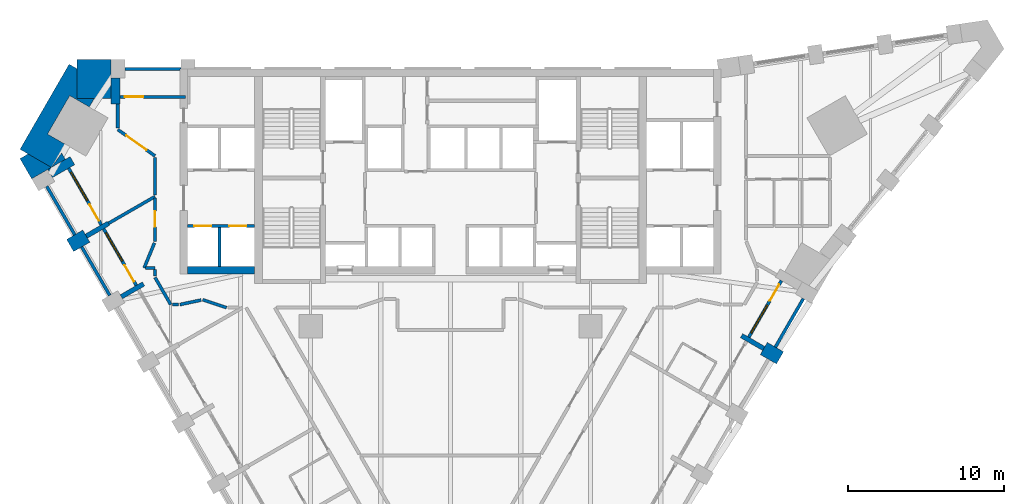
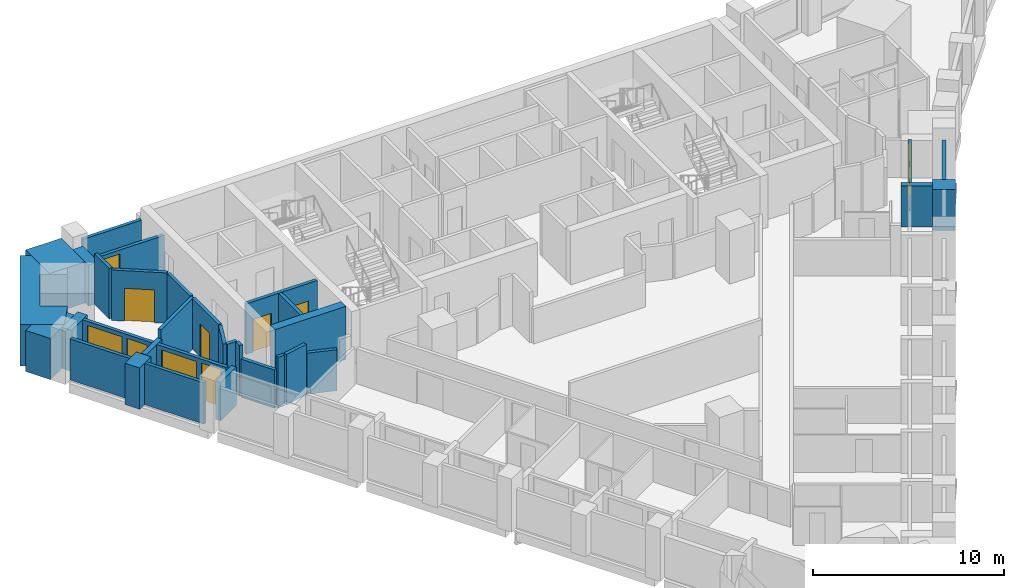
# One storey, part 6 of 11: 34 walls, 8 doors, 3 windows, 11 openings.
"""IFC4 building model written with IfcOpenShell, lengths in metres."""

from ifc_helpers import new_model, si_unit, direction, frame, frame_2d, origin, place, context, subcontext, project, spatial, polyline, rectangle, outline, extrude, material, layer, layer_set, type_object, element, fill, save


model = new_model("IFC4")

# Units and contexts
model_context = context("Model", 3, precision=1e-05, world=origin(), true_north=direction((0.0, 1.0)))
body_context = subcontext(model_context, "Body", "Model", "MODEL_VIEW")
ifc_project = project(units=[si_unit("LENGTHUNIT", "METRE"), si_unit("AREAUNIT", "SQUARE_METRE"), si_unit("VOLUMEUNIT", "CUBIC_METRE"), si_unit("PLANEANGLEUNIT", "RADIAN"), si_unit("MASSUNIT", "GRAM", prefix="KILO")], contexts=[model_context])

# Site, building, storey
site_placement = place(None, origin())
site = spatial("IfcSite", under=ifc_project, at=site_placement, CompositionType="ELEMENT")
building_placement = place(site_placement, origin())
building = spatial("IfcBuilding", under=site, at=building_placement, Name="Calabash Gate Tower", CompositionType="ELEMENT")
storey_placement = place(building_placement, frame((0.0, 0.0, 125.800048828125)))
storey = spatial("IfcBuildingStorey", under=building, at=storey_placement, Name="L29", CompositionType="ELEMENT", Elevation=125.800048828125)

# Walls
ifc_material_1 = material(Name="Terracotta brick masonry, exposed face", Category="masonry")
ifc_layer_1 = layer(ifc_material_1, 2.5)
ifc_layer_set_1 = layer_set([ifc_layer_1], Name="Brick corner mass wall 2500")
wall_type_1 = type_object("IfcWallType", Name="Brick corner mass wall 2500", PredefinedType="SOLIDWALL", material=ifc_layer_set_1)
wall_1_placement = place(storey_placement, origin())
element("IfcWall", 1, at=wall_1_placement, inside=storey, type_object=wall_type_1, Name="Brick corner pier S08 3a", PredefinedType="SOLIDWALL", context=body_context, shape_type="SweptSolid", body=[
    extrude(outline(polyline([(-24.00390625, 17.152587890625), (-21.846923828125, 17.152587890625), (-21.846923828125, 18.452880859375), (-21.846923828125, 18.452880859375), (-21.846923828125, 19.652587890625), (-24.00390625, 19.652587890625), (-24.00390625, 17.152587890625)])), origin(), (0.0, 0.0, 1.0), 2.6298828125),
])
wall_2_placement = place(storey_placement, origin())
element("IfcWall", 2, at=wall_2_placement, inside=storey, type_object=wall_type_1, Name="Brick corner pier S08 3b", PredefinedType="SOLIDWALL", context=body_context, shape_type="SweptSolid", body=[
    extrude(outline(polyline([(-23.22509765625, 16.601318359375), (-22.906982421875, 17.152587890625), (-24.00390625, 17.152587890625), (-24.00390625, 19.052490234375), (-24.5234375, 19.3525390625), (-27.68212890625, 13.8818359375), (-25.6640625, 12.716796875), (-24.650146484375, 14.13330078125), (-25.90966796875, 14.8603515625), (-24.484619140625, 17.32861328125), (-23.22509765625, 16.601318359375)])), origin(), (0.0, 0.0, 1.0), 2.6298828125),
])
wall_3_placement = place(storey_placement, origin())
element("IfcWall", 3, at=wall_3_placement, inside=storey, type_object=wall_type_1, Name="Brick corner pier S08 3ca", PredefinedType="SOLIDWALL", context=body_context, shape_type="SweptSolid", body=[
    extrude(outline(polyline([(-27.162353515625, 13.581787109375), (-27.68212890625, 13.28173828125), (-26.932861328125, 11.984130859375), (-25.6640625, 12.716796875), (-27.162353515625, 13.581787109375)])), origin(), (0.0, 0.0, 1.0), 2.6298828125),
])
wall_4_placement = place(storey_placement, origin())
element("IfcWall", 4, at=wall_4_placement, inside=storey, type_object=wall_type_1, Name="Brick corner pier S08 3cb", PredefinedType="SOLIDWALL", context=body_context, shape_type="SweptSolid", body=[
    extrude(outline(polyline([(-24.767822265625, 13.234130859375), (-25.00244140625, 13.640869140625), (-25.6640625, 12.716796875), (-24.767822265625, 13.234130859375)])), origin(), (0.0, 0.0, 1.0), 2.6298828125),
])
ifc_material_2 = material(Name="Terracotta brick masonry, exposed face", Category="masonry")
ifc_layer_2 = layer(ifc_material_2, 1.199951171875)
ifc_layer_set_2 = layer_set([ifc_layer_2], Name="Brick end wall 1200")
wall_type_2 = type_object("IfcWallType", Name="Brick end wall 1200", PredefinedType="SOLIDWALL", material=ifc_layer_set_2)
wall_5_placement = place(storey_placement, frame((-24.457763671875, 7.697265625, 0.0), z_axis=(0.0, 0.0, 1.0), x_axis=(0.865955154139, 0.50012165622, 0.0)))
element("IfcWall", 5, at=wall_5_placement, inside=storey, type_object=wall_type_2, Name="Brick pier S08 SW0.1", PredefinedType="SOLIDWALL", context=body_context, shape_type="SweptSolid", body=[
    extrude(rectangle(XDim=1.199951171875, YDim=0.89990234375, at=frame_2d((0.60009765625, 0.0))), origin(), (0.0, 0.0, 1.0), 2.6298828125),
])
wall_6_placement = place(storey_placement, frame((21.17626953125, 0.473388671875, 0.0), z_axis=(0.0, 0.0, 1.0), x_axis=(-0.866006032174, 0.500033551112, 0.0)))
element("IfcWall", 6, at=wall_6_placement, inside=storey, type_object=wall_type_2, Name="Brick pier S08 SE2.7", PredefinedType="SOLIDWALL", context=body_context, shape_type="SweptSolid", body=[
    extrude(rectangle(XDim=1.2001953125, YDim=0.89990234375, at=frame_2d((0.60009765625, 0.0))), origin(), (0.0, 0.0, 1.0), 2.6298828125),
])
ifc_material_3 = material(Name="Terracotta brick masonry, exposed face", Category="masonry")
ifc_layer_3 = layer(ifc_material_3, 0.300048828125)
ifc_layer_set_3 = layer_set([ifc_layer_3], Name="Brick loggia cheek wall 300")
wall_type_3 = type_object("IfcWallType", Name="Brick loggia cheek wall 300", PredefinedType="SOLIDWALL", material=ifc_layer_set_3)
wall_7_placement = place(storey_placement, frame((-25.74365234375, 12.32421875, 0.0), z_axis=(0.0, 0.0, 1.0), x_axis=(0.865976140824, 0.500085316245, 0.0)))
element("IfcWall", 7, at=wall_7_placement, inside=storey, type_object=wall_type_3, Name="Loggia cheek S08 SW0.0", PredefinedType="SOLIDWALL", context=body_context, shape_type="SweptSolid", body=[
    extrude(rectangle(XDim=1.650146484375, YDim=0.60009765625, at=frame_2d((0.8251953125, 0.0))), origin(), (0.0, 0.0, 1.0), 2.6298828125),
])
wall_8_placement = place(storey_placement, frame((-23.418701171875, 8.29736328125, 0.0), z_axis=(0.0, 0.0, 1.0), x_axis=(0.866040211805, 0.499974350878, 0.0)))
element("IfcWall", 8, at=wall_8_placement, inside=storey, type_object=wall_type_3, Name="Loggia cheek S08 SW0.1", PredefinedType="SOLIDWALL", context=body_context, shape_type="SweptSolid", body=[
    extrude(rectangle(XDim=1.64990234375, YDim=0.300048828125, at=frame_2d((0.824951171875, 0.0))), origin(), (0.0, 0.0, 1.0), 2.64990234375),
])
wall_9_placement = place(storey_placement, frame((-21.16845703125, 4.400146484375, 0.0), z_axis=(0.0, 0.0, 1.0), x_axis=(0.866003217194, 0.500038426333, 0.0)))
element("IfcWall", 9, at=wall_9_placement, inside=storey, type_object=wall_type_3, Name="Loggia cheek S08 SW0.2", PredefinedType="SOLIDWALL", context=body_context, shape_type="SweptSolid", body=[
    extrude(rectangle(XDim=1.649658203125, YDim=0.300048828125, at=frame_2d((0.82470703125, 0.0))), origin(), (0.0, 0.0, 1.0), 2.449951171875),
])
wall_10_placement = place(storey_placement, frame((18.7080078125, 1.8984375, 0.0), z_axis=(0.0, 0.0, 1.0), x_axis=(0.866040211805, -0.499974350878, 0.0)))
element("IfcWall", 10, at=wall_10_placement, inside=storey, type_object=wall_type_3, Name="Loggia cheek S08 SE2.7", PredefinedType="SOLIDWALL", context=body_context, shape_type="SweptSolid", body=[
    extrude(rectangle(XDim=1.64990234375, YDim=0.300048828125, at=frame_2d((0.824951171875, 0.0))), origin(), (0.0, 0.0, 1.0), 2.64990234375),
])
wall_11_placement = place(storey_placement, origin())
element("IfcWall", 11, at=wall_11_placement, inside=storey, type_object=wall_type_3, Name="Loggia cheek S08 N6.8", PredefinedType="SOLIDWALL", context=body_context, shape_type="SweptSolid", body=[
    extrude(outline(polyline([(-21.846923828125, 18.45263671875), (-21.846923828125, 16.802490234375), (-21.246826171875, 16.802490234375), (-21.246826171875, 18.45263671875), (-21.846923828125, 18.45263671875)])), origin(), (0.0, 0.0, 1.0), 2.6298828125),
])
ifc_material_4 = material(Name="Concrete C80/95", Category="concrete")
ifc_layer_4 = layer(ifc_material_4, 0.5)
ifc_layer_set_4 = layer_set([ifc_layer_4], Name="Core wall 500 Concrete C80/95")
wall_type_4 = type_object("IfcWallType", Name="Core wall 500 Concrete C80/95", PredefinedType="SHEAR", material=ifc_layer_set_4)
wall_12_placement = place(storey_placement, frame((-12.60009765625, 6.1025390625, 0.0), z_axis=(0.0, 0.0, 1.0), x_axis=(-1.0, 0.0, 0.0)))
element("IfcWall", 12, at=wall_12_placement, inside=storey, type_object=wall_type_4, Name="Core wall Z2-SW L29", PredefinedType="SHEAR", context=body_context, shape_type="SweptSolid", body=[
    extrude(rectangle(XDim=4.2998046875, YDim=0.5, at=frame_2d((2.14990234375, 0.0))), origin(), (0.0, 0.0, 1.0), 3.39990234375),
])
ifc_material_5 = material(Name="Gypsum board on steel studs, mineral wool", Category="steel")
ifc_layer_5 = layer(ifc_material_5, 0.199951171875)
ifc_layer_set_5 = layer_set([ifc_layer_5], Name="Partition 200 gypsum board EI 60")
wall_type_5 = type_object("IfcWallType", Name="Partition 200 gypsum board EI 60", PredefinedType="PARTITIONING", material=ifc_layer_set_5)
wall_13_placement = place(storey_placement, frame((-15.934814453125, 4.211181640625, 0.0), z_axis=(0.0, 0.0, 1.0), x_axis=(0.948653110684, -0.316318313712, 0.0)))
element("IfcWall", 13, at=wall_13_placement, inside=storey, type_object=wall_type_5, Name="Partition", PredefinedType="PARTITIONING", context=body_context, shape_type="SweptSolid", body=[
    extrude(rectangle(XDim=1.61767578125, YDim=0.199951171875, at=frame_2d((0.808837890625, 0.0))), origin(), (0.0, 0.0, 1.0), 2.6279296875),
])
wall_14_placement = place(storey_placement, frame((-19.00048828125, 5.643798828125, 0.0), z_axis=(0.0, 0.0, 1.0), x_axis=(0.500075657258, -0.86598171864, 0.0)))
element("IfcWall", 14, at=wall_14_placement, inside=storey, type_object=wall_type_5, Name="Partition", PredefinedType="PARTITIONING", context=body_context, shape_type="SweptSolid", body=[
    extrude(rectangle(XDim=2.014404296875, YDim=0.199951171875, at=frame_2d((1.00732421875, 0.0))), origin(), (0.0, 0.0, 1.0), 2.449951171875),
])
wall_15_placement = place(storey_placement, frame((-17.893310546875, 3.8994140625, 0.0), z_axis=(0.0, 0.0, 1.0), x_axis=(1.0, 0.0, 0.0)))
element("IfcWall", 15, at=wall_15_placement, inside=storey, type_object=wall_type_5, Name="Partition", PredefinedType="PARTITIONING", context=body_context, shape_type="SweptSolid", body=[
    extrude(rectangle(XDim=0.393310546875, YDim=0.199951171875, at=frame_2d((0.19677734375, 0.0))), origin(), (0.0, 0.0, 1.0), 3.22998046875),
])
wall_16_placement = place(storey_placement, frame((-17.39990234375, 3.8994140625, 0.0), z_axis=(0.0, 0.0, 1.0), x_axis=(0.978123323974, 0.208025871224, 0.0)))
element("IfcWall", 16, at=wall_16_placement, inside=storey, type_object=wall_type_5, Name="Partition", PredefinedType="PARTITIONING", context=body_context, shape_type="SweptSolid", body=[
    extrude(rectangle(XDim=1.397705078125, YDim=0.199951171875, at=frame_2d((0.69873046875, 0.0))), origin(), (0.0, 0.0, 1.0), 3.22998046875),
])
wall_17_placement = place(storey_placement, frame((-19.00048828125, 6.152099609375, 0.0), z_axis=(0.0, 0.0, 1.0), x_axis=(0.0, -1.0, 0.0)))
element("IfcWall", 17, at=wall_17_placement, inside=storey, type_object=wall_type_5, Name="Partition", PredefinedType="PARTITIONING", context=body_context, shape_type="SweptSolid", body=[
    extrude(rectangle(XDim=0.408203125, YDim=0.199951171875, at=frame_2d((0.2041015625, 0.0))), origin(), (0.0, 0.0, 1.0), 3.22998046875),
])
wall_18_placement = place(storey_placement, frame((-19.700439453125, 6.252685546875, 0.0), z_axis=(0.0, 0.0, 1.0), x_axis=(0.380742741509, 0.924681007044, 0.0)))
element("IfcWall", 18, at=wall_18_placement, inside=storey, type_object=wall_type_5, Name="Partition", PredefinedType="PARTITIONING", context=body_context, shape_type="SweptSolid", body=[
    extrude(rectangle(XDim=1.73828125, YDim=0.199951171875, at=frame_2d((0.869140625, 0.0))), origin(), (0.0, 0.0, 1.0), 3.22998046875),
])
wall_19_placement = place(storey_placement, frame((-19.6005859375, 6.252685546875, 0.0), z_axis=(0.0, 0.0, 1.0), x_axis=(0.999999668971, -0.000813669381, 0.0)))
element("IfcWall", 19, at=wall_19_placement, inside=storey, type_object=wall_type_5, Name="Partition", PredefinedType="PARTITIONING", context=body_context, shape_type="SweptSolid", body=[
    extrude(rectangle(XDim=0.60009765625, YDim=0.199951171875, at=frame_2d((0.300048828125, 0.0))), origin(), (0.0, 0.0, 1.0), 3.22998046875),
])

# Wall, opening, door
wall_20_placement = place(storey_placement, frame((-19.001953125, 10.7470703125, 0.0), z_axis=(0.0, 0.0, 1.0), x_axis=(0.000524200522, -0.999999862607, 0.0)))
wall_20 = element("IfcWall", 20, at=wall_20_placement, inside=storey, type_object=wall_type_5, Name="Partition", PredefinedType="PARTITIONING", context=body_context, shape_type="SweptSolid", body=[
    extrude(rectangle(XDim=2.79443359375, YDim=0.199951171875, at=frame_2d((1.397216796875, 0.0))), origin(), (0.0, 0.0, 1.0), 3.22998046875),
])
opening_1_placement = place(wall_20_placement, frame((0.845703125, 0.0, 0.0)))
opening_1 = element("IfcOpeningElement", 21, at=opening_1_placement, cuts=wall_20, Name="Opening 28-30-021", PredefinedType="OPENING", context=body_context, shape_type="SweptSolid", body=[
    extrude(rectangle(XDim=1.0, YDim=2.10009765625, at=frame_2d((0.5, 1.050048828125))), frame((0.0, 0.10986328125, 0.0), z_axis=(0.0, -1.0, 0.0), x_axis=(1.0, 0.0, 0.0)), (0.0, 0.0, 1.0), 0.219970703125),
])
ifc_material_6 = material(Name="Steel fire door set with fire-resisting glazing", Category="steel")
door_type_1 = type_object("IfcDoorType", Name="LD2 Meeting room door 1000x2100", OperationType="NOTDEFINED", PredefinedType="DOOR", material=ifc_material_6)
door_1_placement = place(opening_1_placement, origin())
door_1 = element("IfcDoor", 22, at=door_1_placement, inside=storey, type_object=door_type_1, Name="Meeting room door", OperationType="SINGLE_SWING_LEFT", OverallHeight=2.10009765625, OverallWidth=1.0, PredefinedType="DOOR", context=body_context, shape_type="SweptSolid", body=[
    extrude(rectangle(XDim=1.0, YDim=2.10009765625, at=frame_2d((0.5, 1.050048828125))), frame((0.0, 0.02490234375, 0.0), z_axis=(0.0, -1.0, 0.0), x_axis=(1.0, 0.0, 0.0)), (0.0, 0.0, 1.0), 0.050048828125),
])
fill(opening_1, door_1)

# Walls
wall_21_placement = place(storey_placement, frame((-21.989501953125, 9.1220703125, 0.0), z_axis=(0.0, 0.0, 1.0), x_axis=(0.866285697387, 0.499548887001, 0.0)))
element("IfcWall", 23, at=wall_21_placement, inside=storey, type_object=wall_type_5, Name="Partition", PredefinedType="PARTITIONING", context=body_context, shape_type="SweptSolid", body=[
    extrude(rectangle(XDim=3.450439453125, YDim=0.199951171875, at=frame_2d((1.72509765625, 0.0))), origin(), (0.0, 0.0, 1.0), 3.22998046875),
])
wall_22_placement = place(storey_placement, frame((-19.001953125, 10.947265625, 0.0), z_axis=(0.0, 0.0, 1.0), x_axis=(0.000609075108, 0.999999814514, 0.0)))
element("IfcWall", 24, at=wall_22_placement, inside=storey, type_object=wall_type_5, Name="Partition", PredefinedType="PARTITIONING", context=body_context, shape_type="SweptSolid", body=[
    extrude(rectangle(XDim=2.405029296875, YDim=0.199951171875, at=frame_2d((1.20263671875, 0.0))), origin(), (0.0, 0.0, 1.0), 3.22998046875),
])

# Wall, opening, door
wall_23_placement = place(storey_placement, frame((-21.397216796875, 15.152099609375, 0.0), z_axis=(0.0, 0.0, 1.0), x_axis=(0.815699386654, -0.578476024232, 0.0)))
wall_23 = element("IfcWall", 25, at=wall_23_placement, inside=storey, type_object=wall_type_5, Name="Partition", PredefinedType="PARTITIONING", context=body_context, shape_type="SweptSolid", body=[
    extrude(rectangle(XDim=2.938232421875, YDim=0.199951171875, at=frame_2d((1.46923828125, 0.0))), origin(), (0.0, 0.0, 1.0), 3.22998046875),
])
opening_2_placement = place(wall_23_placement, frame((0.669189453125, 0.0, 0.0)))
opening_2 = element("IfcOpeningElement", 26, at=opening_2_placement, cuts=wall_23, Name="Opening 28-30-020", PredefinedType="OPENING", context=body_context, shape_type="SweptSolid", body=[
    extrude(rectangle(XDim=1.60009765625, YDim=2.10009765625, at=frame_2d((0.800048828125, 1.050048828125))), frame((0.0, 0.10986328125, 0.0), z_axis=(0.0, -1.0, 0.0), x_axis=(1.0, 0.0, 0.0)), (0.0, 0.0, 1.0), 0.219970703125),
])
ifc_material_7 = material(Name="Steel fire door set with fire-resisting glazing", Category="steel")
door_type_2 = type_object("IfcDoorType", Name="LD1 Lounge double door 1600x2100", OperationType="NOTDEFINED", PredefinedType="DOOR", material=ifc_material_7)
door_2_placement = place(opening_2_placement, origin())
door_2 = element("IfcDoor", 27, at=door_2_placement, inside=storey, type_object=door_type_2, Name="Lounge double door", OperationType="DOUBLE_DOOR_SINGLE_SWING", OverallHeight=2.10009765625, OverallWidth=1.60009765625, PredefinedType="DOOR", context=body_context, shape_type="SweptSolid", body=[
    extrude(rectangle(XDim=1.60009765625, YDim=2.10009765625, at=frame_2d((0.800048828125, 1.050048828125))), frame((0.0, 0.02490234375, 0.0), z_axis=(0.0, -1.0, 0.0), x_axis=(1.0, 0.0, 0.0)), (0.0, 0.0, 1.0), 0.050048828125),
])
fill(opening_2, door_2)

# Walls
wall_24_placement = place(storey_placement, frame((-21.3974609375, 16.802490234375, 0.0), z_axis=(0.0, 0.0, 1.0), x_axis=(0.000157480313, -0.9999999876, 0.0)))
element("IfcWall", 28, at=wall_24_placement, inside=storey, type_object=wall_type_5, Name="Partition", PredefinedType="PARTITIONING", context=body_context, shape_type="SweptSolid", body=[
    extrude(rectangle(XDim=1.55029296875, YDim=0.199951171875, at=frame_2d((0.775146484375, 0.0))), origin(), (0.0, 0.0, 1.0), 3.22998046875),
])
ifc_material_8 = material(Name="Concrete C40/50", Category="concrete")
ifc_layer_6 = layer(ifc_material_8, 0.199951171875)
ifc_layer_set_6 = layer_set([ifc_layer_6], Name="Shaft wall 200 Concrete C40/50")
wall_type_6 = type_object("IfcWallType", Name="Shaft wall 200 Concrete C40/50", PredefinedType="SOLIDWALL", material=ifc_layer_set_6)
wall_25_placement = place(storey_placement, frame((-14.85009765625, 6.3525390625, 0.0), z_axis=(0.0, 0.0, 1.0), x_axis=(0.0, 1.0, 0.0)))
element("IfcWall", 29, at=wall_25_placement, inside=storey, type_object=wall_type_6, Name="Shaft wall", PredefinedType="SOLIDWALL", context=body_context, shape_type="SweptSolid", body=[
    extrude(rectangle(XDim=2.5, YDim=0.199951171875, at=frame_2d((1.25, 0.0))), origin(), (0.0, 0.0, 1.0), 3.22998046875),
])

# Wall, openings, doors
wall_26_placement = place(storey_placement, frame((-16.89990234375, 8.95263671875, 0.0), z_axis=(0.0, 0.0, 1.0), x_axis=(1.0, 0.0, 0.0)))
wall_26 = element("IfcWall", 30, at=wall_26_placement, inside=storey, type_object=wall_type_6, Name="Shaft wall", PredefinedType="SOLIDWALL", context=body_context, shape_type="SweptSolid", body=[
    extrude(rectangle(XDim=4.2998046875, YDim=0.199951171875, at=frame_2d((2.14990234375, 0.0))), origin(), (0.0, 0.0, 1.0), 3.22998046875),
])
opening_3_placement = place(wall_26_placement, frame((2.675048828125, 0.0, 0.0)))
opening_3 = element("IfcOpeningElement", 31, at=opening_3_placement, cuts=wall_26, Name="Opening LD-LR1", PredefinedType="OPENING", context=body_context, shape_type="SweptSolid", body=[
    extrude(rectangle(XDim=1.10009765625, YDim=2.10009765625, at=frame_2d((0.550048828125, 1.050048828125))), frame((0.0, 0.10986328125, 0.0), z_axis=(0.0, -1.0, 0.0), x_axis=(1.0, 0.0, 0.0)), (0.0, 0.0, 1.0), 0.219970703125),
])
opening_4_placement = place(wall_26_placement, frame((0.425048828125, 0.0, 0.0)))
opening_4 = element("IfcOpeningElement", 32, at=opening_4_placement, cuts=wall_26, Name="Opening LD-LR2", PredefinedType="OPENING", context=body_context, shape_type="SweptSolid", body=[
    extrude(rectangle(XDim=1.10009765625, YDim=2.10009765625, at=frame_2d((0.550048828125, 1.050048828125))), frame((0.0, 0.10986328125, 0.0), z_axis=(0.0, -1.0, 0.0), x_axis=(1.0, 0.0, 0.0)), (0.0, 0.0, 1.0), 0.219970703125),
])
ifc_material_9 = material(Name="Stainless steel sliding door leaves", Category="steel")
door_type_3 = type_object("IfcDoorType", Name="Lift landing door LS1 1100x2100 FD90", OperationType="DOUBLE_DOOR_SLIDING", PredefinedType="DOOR", material=ifc_material_9)
door_3_placement = place(opening_3_placement, origin())
door_3 = element("IfcDoor", 33, at=door_3_placement, inside=storey, type_object=door_type_3, Name="Lift landing door LR1", OperationType="DOUBLE_DOOR_SLIDING", OverallHeight=2.10009765625, OverallWidth=1.10009765625, PredefinedType="DOOR", context=body_context, shape_type="SweptSolid", body=[
    extrude(rectangle(XDim=1.10009765625, YDim=2.10009765625, at=frame_2d((0.550048828125, 1.050048828125))), frame((0.0, 0.02490234375, 0.0), z_axis=(0.0, -1.0, 0.0), x_axis=(1.0, 0.0, 0.0)), (0.0, 0.0, 1.0), 0.050048828125),
])
fill(opening_3, door_3)
door_4_placement = place(opening_4_placement, origin())
door_4 = element("IfcDoor", 34, at=door_4_placement, inside=storey, type_object=door_type_3, Name="Lift landing door LR2", OperationType="DOUBLE_DOOR_SLIDING", OverallHeight=2.10009765625, OverallWidth=1.10009765625, PredefinedType="DOOR", context=body_context, shape_type="SweptSolid", body=[
    extrude(rectangle(XDim=1.10009765625, YDim=2.10009765625, at=frame_2d((0.550048828125, 1.050048828125))), frame((0.0, 0.02490234375, 0.0), z_axis=(0.0, -1.0, 0.0), x_axis=(1.0, 0.0, 0.0)), (0.0, 0.0, 1.0), 0.050048828125),
])
fill(opening_4, door_4)

# Walls
ifc_material_10 = material(Name="Terracotta brick masonry, perforated", Category="masonry")
ifc_layer_7 = layer(ifc_material_10, 0.199951171875)
ifc_layer_set_7 = layer_set([ifc_layer_7], Name="Terracotta jaali screen B")
wall_type_7 = type_object("IfcWallType", Name="Terracotta jaali screen B", PredefinedType="SOLIDWALL", material=ifc_layer_set_7)
for number, where, z_axis, x_axis, name in (
    (35, (-25.963134765625, 11.504638671875, 0.0), (0.0, 0.0, 1.0), (0.500012057535, -0.866018442252, 0.0), "SCREEN B S08 SW0.1"),
    (36, (-23.713134765625, 7.607666015625, 0.0), (0.0, 0.0, 1.0), (0.500012057535, -0.866018442252, 0.0), "SCREEN B S08 SW0.2"),
    (37, (20.881591796875, 1.1630859375, 0.0), (0.0, 0.0, 1.0), (0.500012057535, 0.866018442252, 0.0), "SCREEN B S08 SE2.8"),
):
    element("IfcWall", number, at=place(storey_placement, frame(where, z_axis=z_axis, x_axis=x_axis)), inside=storey, type_object=wall_type_7, Name=name, PredefinedType="SOLIDWALL", context=body_context, shape_type="SweptSolid", body=[
        extrude(rectangle(XDim=3.60009765625, YDim=0.199951171875, at=frame_2d((1.800048828125, 0.0))), origin(), (0.0, 0.0, 1.0), 2.6298828125),
    ])
wall_27_placement = place(storey_placement, origin())
element("IfcWall", 38, at=wall_27_placement, inside=storey, type_object=wall_type_7, Name="SCREEN B S08 N6.8", PredefinedType="SOLIDWALL", context=body_context, shape_type="SweptSolid", body=[
    extrude(outline(polyline([(-20.947021484375, 19.152587890625), (-20.947021484375, 18.95263671875), (-17.39990234375, 18.95263671875), (-17.39990234375, 19.052490234375), (-17.346923828125, 19.052490234375), (-17.346923828125, 19.152587890625), (-20.947021484375, 19.152587890625)])), origin(), (0.0, 0.0, 1.0), 2.64990234375),
])

# Wall, openings, door, window
ifc_material_11 = material(Name="Aluminium framed window wall with insulated spandrel", Category="aluminium")
ifc_layer_8 = layer(ifc_material_11, 0.199951171875)
ifc_layer_set_8 = layer_set([ifc_layer_8], Name="Window wall 200")
wall_type_8 = type_object("IfcWallType", Name="Window wall 200", PredefinedType="ELEMENTEDWALL", material=ifc_layer_set_8)
wall_28_placement = place(storey_placement, frame((-24.554443359375, 12.66455078125, 0.0), z_axis=(0.0, 0.0, 1.0), x_axis=(0.500002543286, -0.866023935413, 0.0)))
wall_28 = element("IfcWall", 39, at=wall_28_placement, inside=storey, type_object=wall_type_8, Name="Window wall S08 SW0.1", PredefinedType="ELEMENTEDWALL", context=body_context, shape_type="SweptSolid", body=[
    extrude(rectangle(XDim=4.2001953125, YDim=0.199951171875, at=frame_2d((2.10009765625, 0.0))), origin(), (0.0, 0.0, 1.0), 2.64990234375),
])
opening_5_placement = place(wall_28_placement, frame((0.300048828125, 0.0, 0.60009765625)))
opening_5 = element("IfcOpeningElement", 40, at=opening_5_placement, cuts=wall_28, Name="Opening HW1", PredefinedType="OPENING", context=body_context, shape_type="SweptSolid", body=[
    extrude(rectangle(XDim=2.10009765625, YDim=1.800048828125, at=frame_2d((1.050048828125, 0.89990234375))), frame((0.0, 0.10986328125, 0.0), z_axis=(0.0, -1.0, 0.0), x_axis=(1.0, 0.0, 0.0)), (0.0, 0.0, 1.0), 0.219970703125),
])
opening_6_placement = place(wall_28_placement, frame((2.699951171875, 0.0, 0.0)))
opening_6 = element("IfcOpeningElement", 41, at=opening_6_placement, cuts=wall_28, Name="Opening H8-026", PredefinedType="OPENING", context=body_context, shape_type="SweptSolid", body=[
    extrude(rectangle(XDim=1.199951171875, YDim=2.39990234375, at=frame_2d((0.60009765625, 1.199951171875))), frame((0.0, 0.10986328125, 0.0), z_axis=(0.0, -1.0, 0.0), x_axis=(1.0, 0.0, 0.0)), (0.0, 0.0, 1.0), 0.219970703125),
])
ifc_material_12 = material(Name="Anodised aluminium frame, bronze finish, impact-rated laminated clear glazing", Category="aluminium")
door_type_4 = type_object("IfcDoorType", Name="Loggia door DH1 1200x2400", OperationType="SLIDING_TO_LEFT", PredefinedType="DOOR", material=ifc_material_12)
door_5_placement = place(opening_6_placement, origin())
door_5 = element("IfcDoor", 42, at=door_5_placement, inside=storey, type_object=door_type_4, Name="Loggia door S08 SW0.1", OperationType="SINGLE_SWING_LEFT", OverallHeight=2.39990234375, OverallWidth=1.199951171875, PredefinedType="DOOR", context=body_context, shape_type="SweptSolid", body=[
    extrude(rectangle(XDim=1.199951171875, YDim=2.39990234375, at=frame_2d((0.60009765625, 1.199951171875))), frame((0.0, 0.02490234375, 0.0), z_axis=(0.0, -1.0, 0.0), x_axis=(1.0, 0.0, 0.0)), (0.0, 0.0, 1.0), 0.050048828125),
])
fill(opening_6, door_5)
ifc_material_13 = material(Name="Anodised aluminium frame, bronze finish, impact-rated laminated clear glazing", Category="aluminium")
window_type_1 = type_object("IfcWindowType", Name="Window HW1 2100x1800", PartitioningType="DOUBLE_PANEL_VERTICAL", PredefinedType="WINDOW", material=ifc_material_13)
window_1_placement = place(opening_5_placement, origin())
window_1 = element("IfcWindow", 43, at=window_1_placement, inside=storey, type_object=window_type_1, Name="Window HW1 S08 SW0.1", OverallHeight=1.800048828125, OverallWidth=2.10009765625, PartitioningType="SINGLE_PANEL", PredefinedType="WINDOW", context=body_context, shape_type="SweptSolid", body=[
    extrude(rectangle(XDim=2.10009765625, YDim=1.800048828125, at=frame_2d((1.050048828125, 0.89990234375))), frame((0.0, 0.030029296875, 0.0), z_axis=(0.0, -1.0, 0.0), x_axis=(1.0, 0.0, 0.0)), (0.0, 0.0, 1.0), 0.06005859375),
])
fill(opening_5, window_1)

wall_29_placement = place(storey_placement, frame((-22.304443359375, 8.767333984375, 0.0), z_axis=(0.0, 0.0, 1.0), x_axis=(0.500027713859, -0.866009402589, 0.0)))
wall_29 = element("IfcWall", 44, at=wall_29_placement, inside=storey, type_object=wall_type_8, Name="Window wall S08 SW0.2", PredefinedType="ELEMENTEDWALL", context=body_context, shape_type="SweptSolid", body=[
    extrude(rectangle(XDim=4.199951171875, YDim=0.199951171875, at=frame_2d((2.10009765625, 0.0))), origin(), (0.0, 0.0, 1.0), 2.64990234375),
])
opening_7_placement = place(wall_29_placement, frame((0.300048828125, 0.0, 0.60009765625)))
opening_7 = element("IfcOpeningElement", 45, at=opening_7_placement, cuts=wall_29, Name="Opening HW1", PredefinedType="OPENING", context=body_context, shape_type="SweptSolid", body=[
    extrude(rectangle(XDim=2.10009765625, YDim=1.800048828125, at=frame_2d((1.050048828125, 0.89990234375))), frame((0.0, 0.10986328125, 0.0), z_axis=(0.0, -1.0, 0.0), x_axis=(1.0, 0.0, 0.0)), (0.0, 0.0, 1.0), 0.219970703125),
])
opening_8_placement = place(wall_29_placement, frame((2.699951171875, 0.0, 0.0)))
opening_8 = element("IfcOpeningElement", 46, at=opening_8_placement, cuts=wall_29, Name="Opening H8-027", PredefinedType="OPENING", context=body_context, shape_type="SweptSolid", body=[
    extrude(rectangle(XDim=1.199951171875, YDim=2.39990234375, at=frame_2d((0.60009765625, 1.199951171875))), frame((0.0, 0.10986328125, 0.0), z_axis=(0.0, -1.0, 0.0), x_axis=(1.0, 0.0, 0.0)), (0.0, 0.0, 1.0), 0.219970703125),
])
door_6_placement = place(opening_8_placement, origin())
door_6 = element("IfcDoor", 47, at=door_6_placement, inside=storey, type_object=door_type_4, Name="Loggia door S08 SW0.2", OperationType="SINGLE_SWING_LEFT", OverallHeight=2.39990234375, OverallWidth=1.199951171875, PredefinedType="DOOR", context=body_context, shape_type="SweptSolid", body=[
    extrude(rectangle(XDim=1.199951171875, YDim=2.39990234375, at=frame_2d((0.60009765625, 1.199951171875))), frame((0.0, 0.02490234375, 0.0), z_axis=(0.0, -1.0, 0.0), x_axis=(1.0, 0.0, 0.0)), (0.0, 0.0, 1.0), 0.050048828125),
])
fill(opening_8, door_6)
window_2_placement = place(opening_7_placement, origin())
window_2 = element("IfcWindow", 48, at=window_2_placement, inside=storey, type_object=window_type_1, Name="Window HW1 S08 SW0.2", OverallHeight=1.800048828125, OverallWidth=2.10009765625, PartitioningType="SINGLE_PANEL", PredefinedType="WINDOW", context=body_context, shape_type="SweptSolid", body=[
    extrude(rectangle(XDim=2.10009765625, YDim=1.800048828125, at=frame_2d((1.050048828125, 0.89990234375))), frame((0.0, 0.030029296875, 0.0), z_axis=(0.0, -1.0, 0.0), x_axis=(1.0, 0.0, 0.0)), (0.0, 0.0, 1.0), 0.06005859375),
])
fill(opening_7, window_2)

wall_30_placement = place(storey_placement, frame((19.1728515625, 1.80322265625, 0.0), z_axis=(0.0, 0.0, 1.0), x_axis=(0.499958946799, 0.866049104564, 0.0)))
wall_30 = element("IfcWall", 49, at=wall_30_placement, inside=storey, type_object=wall_type_8, Name="Window wall S08 SE2.8", PredefinedType="ELEMENTEDWALL", context=body_context, shape_type="SweptSolid", body=[
    extrude(rectangle(XDim=4.199951171875, YDim=0.199951171875, at=frame_2d((2.10009765625, 0.0))), origin(), (0.0, 0.0, 1.0), 2.449951171875),
])
opening_9_placement = place(wall_30_placement, frame((0.300048828125, 0.0, 0.60009765625)))
opening_9 = element("IfcOpeningElement", 50, at=opening_9_placement, cuts=wall_30, Name="Opening HW1L-1750", PredefinedType="OPENING", context=body_context, shape_type="SweptSolid", body=[
    extrude(rectangle(XDim=2.10009765625, YDim=1.75, at=frame_2d((1.050048828125, 0.875))), frame((0.0, 0.10986328125, 0.0), z_axis=(0.0, -1.0, 0.0), x_axis=(1.0, 0.0, 0.0)), (0.0, 0.0, 1.0), 0.219970703125),
])
opening_10_placement = place(wall_30_placement, frame((2.699951171875, 0.0, 0.0)))
opening_10 = element("IfcOpeningElement", 51, at=opening_10_placement, cuts=wall_30, Name="Opening H8-025", PredefinedType="OPENING", context=body_context, shape_type="SweptSolid", body=[
    extrude(rectangle(XDim=1.199951171875, YDim=2.35009765625, at=frame_2d((0.60009765625, 1.175048828125))), frame((0.0, 0.10986328125, 0.0), z_axis=(0.0, -1.0, 0.0), x_axis=(1.0, 0.0, 0.0)), (0.0, 0.0, 1.0), 0.219970703125),
])
ifc_material_14 = material(Name="Anodised aluminium frame, bronze finish, impact-rated laminated clear glazing", Category="aluminium")
door_type_5 = type_object("IfcDoorType", Name="Loggia door DH1L-2350 1200x2350", OperationType="SLIDING_TO_LEFT", PredefinedType="DOOR", material=ifc_material_14)
door_7_placement = place(opening_10_placement, origin())
door_7 = element("IfcDoor", 52, at=door_7_placement, inside=storey, type_object=door_type_5, Name="Loggia door S08 SE2.8", OperationType="SINGLE_SWING_LEFT", OverallHeight=2.35009765625, OverallWidth=1.199951171875, PredefinedType="DOOR", context=body_context, shape_type="SweptSolid", body=[
    extrude(rectangle(XDim=1.199951171875, YDim=2.35009765625, at=frame_2d((0.60009765625, 1.175048828125))), frame((0.0, 0.02490234375, 0.0), z_axis=(0.0, -1.0, 0.0), x_axis=(1.0, 0.0, 0.0)), (0.0, 0.0, 1.0), 0.050048828125),
])
fill(opening_10, door_7)
ifc_material_15 = material(Name="Anodised aluminium frame, bronze finish, impact-rated laminated clear glazing", Category="aluminium")
window_type_2 = type_object("IfcWindowType", Name="Window HW1L 2100x1750", PartitioningType="DOUBLE_PANEL_VERTICAL", PredefinedType="WINDOW", material=ifc_material_15)
window_3_placement = place(opening_9_placement, origin())
window_3 = element("IfcWindow", 53, at=window_3_placement, inside=storey, type_object=window_type_2, Name="Window HW1 S08 SE2.8", OverallHeight=1.75, OverallWidth=2.10009765625, PartitioningType="SINGLE_PANEL", PredefinedType="WINDOW", context=body_context, shape_type="SweptSolid", body=[
    extrude(rectangle(XDim=2.10009765625, YDim=1.75, at=frame_2d((1.050048828125, 0.875))), frame((0.0, 0.030029296875, 0.0), z_axis=(0.0, -1.0, 0.0), x_axis=(1.0, 0.0, 0.0)), (0.0, 0.0, 1.0), 0.06005859375),
])
fill(opening_9, window_3)

# Wall, opening, door
wall_31_placement = place(storey_placement, frame((-17.046875, 17.25244140625, 0.0), z_axis=(0.0, 0.0, 1.0), x_axis=(-1.0, 0.0, 0.0)))
wall_31 = element("IfcWall", 54, at=wall_31_placement, inside=storey, type_object=wall_type_8, Name="Window wall S08 N6.8", PredefinedType="ELEMENTEDWALL", context=body_context, shape_type="SweptSolid", body=[
    extrude(rectangle(XDim=4.199951171875, YDim=0.199951171875, at=frame_2d((2.10009765625, 0.0))), origin(), (0.0, 0.0, 1.0), 2.64990234375),
])
opening_11_placement = place(wall_31_placement, frame((2.699951171875, 0.0, 0.0)))
opening_11 = element("IfcOpeningElement", 55, at=opening_11_placement, cuts=wall_31, Name="Opening H8-017", PredefinedType="OPENING", context=body_context, shape_type="SweptSolid", body=[
    extrude(rectangle(XDim=1.199951171875, YDim=2.39990234375, at=frame_2d((0.60009765625, 1.199951171875))), frame((0.0, 0.10986328125, 0.0), z_axis=(0.0, -1.0, 0.0), x_axis=(1.0, 0.0, 0.0)), (0.0, 0.0, 1.0), 0.219970703125),
])
door_8_placement = place(opening_11_placement, origin())
door_8 = element("IfcDoor", 56, at=door_8_placement, inside=storey, type_object=door_type_4, Name="Loggia door S08 N6.8", OperationType="SINGLE_SWING_LEFT", OverallHeight=2.39990234375, OverallWidth=1.199951171875, PredefinedType="DOOR", context=body_context, shape_type="SweptSolid", body=[
    extrude(rectangle(XDim=1.199951171875, YDim=2.39990234375, at=frame_2d((0.60009765625, 1.199951171875))), frame((0.0, 0.02490234375, 0.0), z_axis=(0.0, -1.0, 0.0), x_axis=(1.0, 0.0, 0.0)), (0.0, 0.0, 1.0), 0.050048828125),
])
fill(opening_11, door_8)

save(model, "model.ifc")
